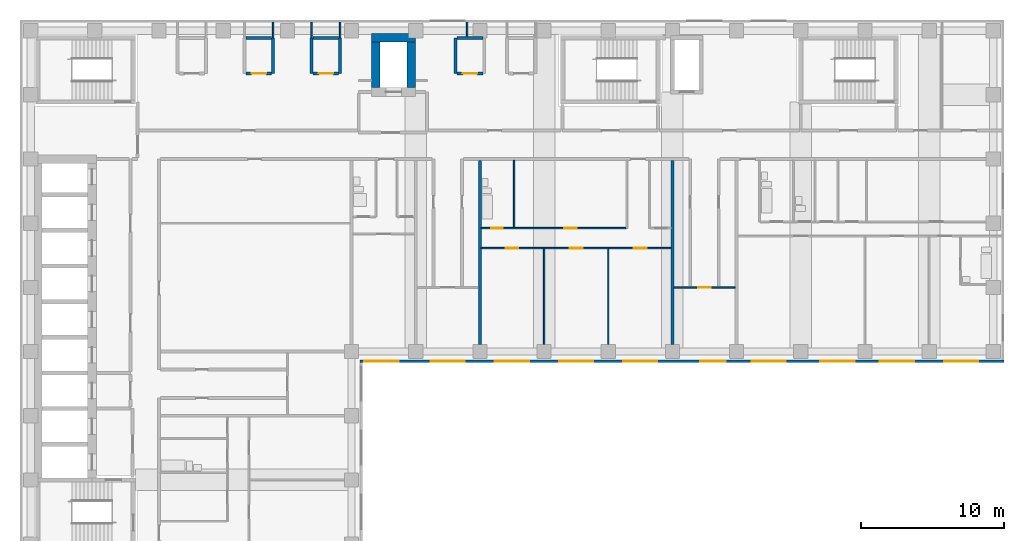
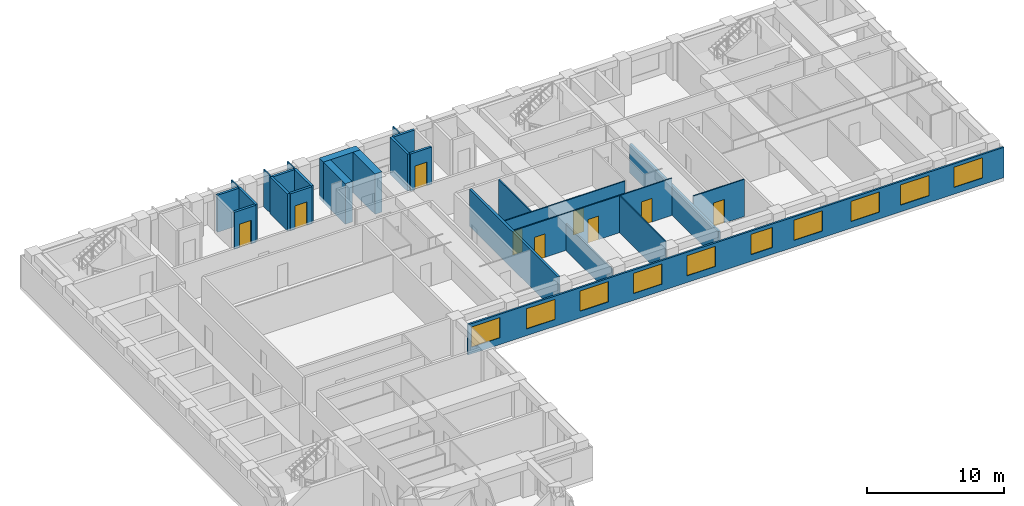
# One storey, part 6 of 12: 26 walls, 10 windows, 9 doors, 19 openings.
"""IFC4 building model written with IfcOpenShell, lengths in metres."""

from ifc_helpers import new_model, si_unit, direction, frame, frame_2d, origin, place, context, subcontext, project, spatial, rectangle, extrude, material, layer, layer_set, type_object, element, fill, save


model = new_model("IFC4")

# Units and contexts
model_context = context("Model", 3, precision=1e-05, world=origin(), true_north=direction((0.0, 1.0)))
body_context = subcontext(model_context, "Body", "Model", "MODEL_VIEW")
ifc_project = project(units=[si_unit("LENGTHUNIT", "METRE"), si_unit("AREAUNIT", "SQUARE_METRE"), si_unit("VOLUMEUNIT", "CUBIC_METRE"), si_unit("PLANEANGLEUNIT", "RADIAN"), si_unit("MASSUNIT", "GRAM", prefix="KILO")], contexts=[model_context])

# Site, building, storey
site_placement = place(None, origin())
site = spatial("IfcSite", under=ifc_project, at=site_placement, CompositionType="ELEMENT")
building_placement = place(site_placement, origin())
building = spatial("IfcBuilding", under=site, at=building_placement, Name="Firuza Court", CompositionType="ELEMENT")
storey_placement = place(building_placement, frame((0.0, 0.0, 144.800048828125)))
storey = spatial("IfcBuildingStorey", under=building, at=storey_placement, Name="L36", CompositionType="ELEMENT", Elevation=144.800048828125)

# Walls
ifc_material_1 = material(Name="Moisture-resistant gypsum board partition")
ifc_layer_1 = layer(ifc_material_1, 0.10009765625)
ifc_layer_set_1 = layer_set([ifc_layer_1], Name="Moisture-resistant gypsum board partition")
wall_type_1 = type_object("IfcWallType", Name="Bathroom partition 100", PredefinedType="PLUMBINGWALL", material=ifc_layer_set_1)
wall_1_placement = place(storey_placement, frame((33.89990234375, 44.699951171875, 0.0), z_axis=(0.0, 0.0, 1.0), x_axis=(0.0, 1.0, 0.0)))
element("IfcWall", 1, at=wall_1_placement, inside=storey, type_object=wall_type_1, Name="Bathroom partition 100 L36", PredefinedType="PLUMBINGWALL", context=body_context, shape_type="SweptSolid", body=[
    extrude(rectangle(XDim=4.699951171875, YDim=0.10009765625, at=frame_2d((2.35009765625, 0.0))), origin(), (0.0, 0.0, 1.0), 3.300048828125),
])
ifc_material_2 = material(Name="Concrete C60/75", Category="concrete")
ifc_layer_2 = layer(ifc_material_2, 0.60009765625)
ifc_layer_set_2 = layer_set([ifc_layer_2], Name="Concrete C60/75")
wall_type_2 = type_object("IfcWallType", Name="Core wall 600 C60/75", PredefinedType="SHEAR", material=ifc_layer_set_2)
wall_2_placement = place(storey_placement, frame((23.89990234375, 58.0, -0.300048828125), z_axis=(0.0, 0.0, 1.0), x_axis=(1.0, 0.0, 0.0)))
element("IfcWall", 2, at=wall_2_placement, inside=storey, type_object=wall_type_2, Name="Core wall lift shaft L36", PredefinedType="SHEAR", context=body_context, shape_type="SweptSolid", body=[
    extrude(rectangle(XDim=3.10009765625, YDim=0.60009765625, at=frame_2d((1.550048828125, 0.0))), origin(), (0.0, 0.0, 1.0), 3.60009765625),
])
for number, where, z_axis, x_axis, name in (
    (3, (24.199951171875, 54.5, -0.300048828125), (0.0, 0.0, 1.0), (0.0, 1.0, 0.0), "Core wall lift shaft L36"),
    (4, (26.699951171875, 54.5, -0.300048828125), (0.0, 0.0, 1.0), (0.0, 1.0, 0.0), "Core wall lift shaft L36"),
):
    element("IfcWall", number, at=place(storey_placement, frame(where, z_axis=z_axis, x_axis=x_axis)), inside=storey, type_object=wall_type_2, Name=name, PredefinedType="SHEAR", context=body_context, shape_type="SweptSolid", body=[
        extrude(rectangle(XDim=3.199951171875, YDim=0.60009765625, at=frame_2d((1.60009765625, 0.0))), origin(), (0.0, 0.0, 1.0), 3.60009765625),
    ])
ifc_material_3 = material(Name="Timber stud partition, plasterboard both sides", Category="wood")
ifc_layer_3 = layer(ifc_material_3, 0.10009765625)
ifc_layer_set_3 = layer_set([ifc_layer_3], Name="Timber stud partition, plasterboard both sides")
wall_type_3 = type_object("IfcWallType", Name="Partition wall 100", PredefinedType="PARTITIONING", material=ifc_layer_set_3)
wall_3_placement = place(storey_placement, frame((36.0, 36.5, 0.0), z_axis=(0.0, 0.0, 1.0), x_axis=(0.0, 1.0, 0.0)))
element("IfcWall", 5, at=wall_3_placement, inside=storey, type_object=wall_type_3, Name="Partition wall 100 L36", PredefinedType="PARTITIONING", context=body_context, shape_type="SweptSolid", body=[
    extrude(rectangle(XDim=6.699951171875, YDim=0.10009765625, at=frame_2d((3.35009765625, 0.0))), origin(), (0.0, 0.0, 1.0), 2.39990234375),
])
wall_4_placement = place(storey_placement, frame((40.5, 36.5, 0.0), z_axis=(0.0, 0.0, 1.0), x_axis=(0.0, 1.0, 0.0)))
element("IfcWall", 6, at=wall_4_placement, inside=storey, type_object=wall_type_3, Name="Partition wall 100 L36", PredefinedType="PARTITIONING", context=body_context, shape_type="SweptSolid", body=[
    extrude(rectangle(XDim=6.699951171875, YDim=0.10009765625, at=frame_2d((3.35009765625, 0.0))), origin(), (0.0, 0.0, 1.0), 3.300048828125),
])

# Wall, opening, door
wall_5_placement = place(storey_placement, frame((45.10009765625, 40.5, 0.0), z_axis=(0.0, 0.0, 1.0), x_axis=(1.0, 0.0, 0.0)))
wall_5 = element("IfcWall", 7, at=wall_5_placement, inside=storey, type_object=wall_type_3, Name="Partition wall 100 L36", PredefinedType="PARTITIONING", context=body_context, shape_type="SweptSolid", body=[
    extrude(rectangle(XDim=4.2998046875, YDim=0.10009765625, at=frame_2d((2.14990234375, 0.0))), origin(), (0.0, 0.0, 1.0), 3.300048828125),
])
opening_1_placement = place(wall_5_placement, frame((1.699951171875, 0.0, 0.0)))
opening_1 = element("IfcOpeningElement", 8, at=opening_1_placement, cuts=wall_5, Name="Opening D36040", PredefinedType="OPENING", context=body_context, shape_type="SweptSolid", body=[
    extrude(rectangle(XDim=0.89990234375, YDim=2.10009765625, at=frame_2d((0.449951171875, 1.050048828125))), frame((0.0, 0.06201171875, 0.0), z_axis=(0.0, -1.0, 0.0), x_axis=(1.0, 0.0, 0.0)), (0.0, 0.0, 1.0), 0.1240234375),
])
ifc_material_4 = material(Name="Timber door leaf in hardwood frame", Category="wood")
door_type_1 = type_object("IfcDoorType", Name="Room door 900", OperationType="SINGLE_SWING_LEFT", PredefinedType="DOOR", material=ifc_material_4)
door_1_placement = place(opening_1_placement, origin())
door_1 = element("IfcDoor", 9, at=door_1_placement, inside=storey, type_object=door_type_1, Name="Residents' lounge door", OperationType="SINGLE_SWING_LEFT", OverallHeight=2.10009765625, OverallWidth=0.89990234375, PredefinedType="DOOR", context=body_context, shape_type="SweptSolid", body=[
    extrude(rectangle(XDim=0.89990234375, YDim=2.10009765625, at=frame_2d((0.449951171875, 1.050048828125))), frame((0.0, 0.02490234375, 0.0), z_axis=(0.0, -1.0, 0.0), x_axis=(1.0, 0.0, 0.0)), (0.0, 0.0, 1.0), 0.050048828125),
])
fill(opening_1, door_1)

# Wall, openings, doors
wall_6_placement = place(storey_placement, frame((31.60009765625, 43.25, 0.0), z_axis=(0.0, 0.0, 1.0), x_axis=(1.0, 0.0, 0.0)))
wall_6 = element("IfcWall", 10, at=wall_6_placement, inside=storey, type_object=wall_type_3, Name="Partition wall 100 L36", PredefinedType="PARTITIONING", context=body_context, shape_type="SweptSolid", body=[
    extrude(rectangle(XDim=13.2998046875, YDim=0.10009765625, at=frame_2d((6.64990234375, 0.0))), origin(), (0.0, 0.0, 1.0), 3.300048828125),
])
opening_2_placement = place(wall_6_placement, frame((1.699951171875, 0.0, 0.0)))
opening_2 = element("IfcOpeningElement", 11, at=opening_2_placement, cuts=wall_6, Name="Opening D36046", PredefinedType="OPENING", context=body_context, shape_type="SweptSolid", body=[
    extrude(rectangle(XDim=0.89990234375, YDim=2.10009765625, at=frame_2d((0.449951171875, 1.050048828125))), frame((0.0, 0.06201171875, 0.0), z_axis=(0.0, -1.0, 0.0), x_axis=(1.0, 0.0, 0.0)), (0.0, 0.0, 1.0), 0.1240234375),
])
opening_3_placement = place(wall_6_placement, frame((6.199951171875, 0.0, 0.0)))
opening_3 = element("IfcOpeningElement", 12, at=opening_3_placement, cuts=wall_6, Name="Opening D36047", PredefinedType="OPENING", context=body_context, shape_type="SweptSolid", body=[
    extrude(rectangle(XDim=0.89990234375, YDim=2.10009765625, at=frame_2d((0.449951171875, 1.050048828125))), frame((0.0, 0.06201171875, 0.0), z_axis=(0.0, -1.0, 0.0), x_axis=(1.0, 0.0, 0.0)), (0.0, 0.0, 1.0), 0.1240234375),
])
opening_4_placement = place(wall_6_placement, frame((10.699951171875, 0.0, 0.0)))
opening_4 = element("IfcOpeningElement", 13, at=opening_4_placement, cuts=wall_6, Name="Opening D36048", PredefinedType="OPENING", context=body_context, shape_type="SweptSolid", body=[
    extrude(rectangle(XDim=0.89990234375, YDim=2.10009765625, at=frame_2d((0.449951171875, 1.050048828125))), frame((0.0, 0.06201171875, 0.0), z_axis=(0.0, -1.0, 0.0), x_axis=(1.0, 0.0, 0.0)), (0.0, 0.0, 1.0), 0.1240234375),
])
door_2_placement = place(opening_2_placement, frame((0.89990234375, 0.0, 0.0), z_axis=(0.0, 0.0, 1.0), x_axis=(-1.0, 0.0, 0.0)))
door_2 = element("IfcDoor", 14, at=door_2_placement, inside=storey, type_object=door_type_1, Name="Bedroom door", OperationType="SINGLE_SWING_RIGHT", OverallHeight=2.10009765625, OverallWidth=0.89990234375, PredefinedType="DOOR", context=body_context, shape_type="SweptSolid", body=[
    extrude(rectangle(XDim=0.89990234375, YDim=2.10009765625, at=frame_2d((0.449951171875, 1.050048828125))), frame((0.0, 0.02490234375, 0.0), z_axis=(0.0, -1.0, 0.0), x_axis=(1.0, 0.0, 0.0)), (0.0, 0.0, 1.0), 0.050048828125),
])
fill(opening_2, door_2)
door_3_placement = place(opening_3_placement, frame((0.89990234375, 0.0, 0.0), z_axis=(0.0, 0.0, 1.0), x_axis=(-1.0, 0.0, 0.0)))
door_3 = element("IfcDoor", 15, at=door_3_placement, inside=storey, type_object=door_type_1, Name="Living room door", OperationType="SINGLE_SWING_RIGHT", OverallHeight=2.10009765625, OverallWidth=0.89990234375, PredefinedType="DOOR", context=body_context, shape_type="SweptSolid", body=[
    extrude(rectangle(XDim=0.89990234375, YDim=2.10009765625, at=frame_2d((0.449951171875, 1.050048828125))), frame((0.0, 0.02490234375, 0.0), z_axis=(0.0, -1.0, 0.0), x_axis=(1.0, 0.0, 0.0)), (0.0, 0.0, 1.0), 0.050048828125),
])
fill(opening_3, door_3)
door_4_placement = place(opening_4_placement, frame((0.89990234375, 0.0, 0.0), z_axis=(0.0, 0.0, 1.0), x_axis=(-1.0, 0.0, 0.0)))
door_4 = element("IfcDoor", 16, at=door_4_placement, inside=storey, type_object=door_type_1, Name="Bedroom door", OperationType="SINGLE_SWING_RIGHT", OverallHeight=2.10009765625, OverallWidth=0.89990234375, PredefinedType="DOOR", context=body_context, shape_type="SweptSolid", body=[
    extrude(rectangle(XDim=0.89990234375, YDim=2.10009765625, at=frame_2d((0.449951171875, 1.050048828125))), frame((0.0, 0.02490234375, 0.0), z_axis=(0.0, -1.0, 0.0), x_axis=(1.0, 0.0, 0.0)), (0.0, 0.0, 1.0), 0.050048828125),
])
fill(opening_4, door_4)

wall_7_placement = place(storey_placement, frame((31.60009765625, 44.64990234375, 0.0), z_axis=(0.0, 0.0, 1.0), x_axis=(1.0, 0.0, 0.0)))
wall_7 = element("IfcWall", 17, at=wall_7_placement, inside=storey, type_object=wall_type_3, Name="Partition wall 100 L36", PredefinedType="PARTITIONING", context=body_context, shape_type="SweptSolid", body=[
    extrude(rectangle(XDim=10.14990234375, YDim=0.10009765625, at=frame_2d((5.074951171875, 0.0))), origin(), (0.0, 0.0, 1.0), 3.300048828125),
])
opening_5_placement = place(wall_7_placement, frame((0.699951171875, 0.0, 0.0)))
opening_5 = element("IfcOpeningElement", 18, at=opening_5_placement, cuts=wall_7, Name="Opening D36053", PredefinedType="OPENING", context=body_context, shape_type="SweptSolid", body=[
    extrude(rectangle(XDim=0.800048828125, YDim=2.10009765625, at=frame_2d((0.39990234375, 1.050048828125))), frame((0.0, 0.06201171875, 0.0), z_axis=(0.0, -1.0, 0.0), x_axis=(1.0, 0.0, 0.0)), (0.0, 0.0, 1.0), 0.1240234375),
])
opening_6_placement = place(wall_7_placement, frame((5.800048828125, 0.0, 0.0)))
opening_6 = element("IfcOpeningElement", 19, at=opening_6_placement, cuts=wall_7, Name="Opening D36054", PredefinedType="OPENING", context=body_context, shape_type="SweptSolid", body=[
    extrude(rectangle(XDim=0.89990234375, YDim=2.10009765625, at=frame_2d((0.449951171875, 1.050048828125))), frame((0.0, 0.06201171875, 0.0), z_axis=(0.0, -1.0, 0.0), x_axis=(1.0, 0.0, 0.0)), (0.0, 0.0, 1.0), 0.1240234375),
])
ifc_material_5 = material(Name="Timber door leaf in hardwood frame", Category="wood")
door_type_2 = type_object("IfcDoorType", Name="Bathroom door 800", OperationType="SINGLE_SWING_LEFT", PredefinedType="DOOR", material=ifc_material_5)
door_5_placement = place(opening_5_placement, origin())
door_5 = element("IfcDoor", 20, at=door_5_placement, inside=storey, type_object=door_type_2, Name="Bathroom door", OperationType="SINGLE_SWING_LEFT", OverallHeight=2.10009765625, OverallWidth=0.800048828125, PredefinedType="DOOR", context=body_context, shape_type="SweptSolid", body=[
    extrude(rectangle(XDim=0.800048828125, YDim=2.10009765625, at=frame_2d((0.39990234375, 1.050048828125))), frame((0.0, 0.02490234375, 0.0), z_axis=(0.0, -1.0, 0.0), x_axis=(1.0, 0.0, 0.0)), (0.0, 0.0, 1.0), 0.050048828125),
])
fill(opening_5, door_5)
door_6_placement = place(opening_6_placement, origin())
door_6 = element("IfcDoor", 21, at=door_6_placement, inside=storey, type_object=door_type_1, Name="Kitchen door", OperationType="SINGLE_SWING_LEFT", OverallHeight=2.10009765625, OverallWidth=0.89990234375, PredefinedType="DOOR", context=body_context, shape_type="SweptSolid", body=[
    extrude(rectangle(XDim=0.89990234375, YDim=2.10009765625, at=frame_2d((0.449951171875, 1.050048828125))), frame((0.0, 0.02490234375, 0.0), z_axis=(0.0, -1.0, 0.0), x_axis=(1.0, 0.0, 0.0)), (0.0, 0.0, 1.0), 0.050048828125),
])
fill(opening_6, door_6)

# Walls
for number, where, z_axis, x_axis, name in (
    (22, (17.0, 58.0, 0.0), (0.0, 0.0, 1.0), (0.0, 1.0, 0.0), "Partition wall 100 L36"),
    (23, (19.699951171875, 58.0, 0.0), (0.0, 0.0, 1.0), (0.0, 1.0, 0.0), "Partition wall 100 L36"),
    (24, (21.699951171875, 58.0, 0.0), (0.0, 0.0, 1.0), (0.0, 1.0, 0.0), "Partition wall 100 L36"),
):
    element("IfcWall", number, at=place(storey_placement, frame(where, z_axis=z_axis, x_axis=x_axis)), inside=storey, type_object=wall_type_3, Name=name, PredefinedType="PARTITIONING", context=body_context, shape_type="SweptSolid", body=[
        extrude(rectangle(XDim=1.10009765625, YDim=0.10009765625, at=frame_2d((0.550048828125, 0.0))), origin(), (0.0, 0.0, 1.0), 3.300048828125),
    ])
wall_8_placement = place(storey_placement, frame((30.60009765625, 58.10009765625, 0.0), z_axis=(0.0, 0.0, 1.0), x_axis=(0.0, 1.0, 0.0)))
element("IfcWall", 25, at=wall_8_placement, inside=storey, type_object=wall_type_3, Name="Partition wall 100 L36", PredefinedType="PARTITIONING", context=body_context, shape_type="SweptSolid", body=[
    extrude(rectangle(XDim=1.0, YDim=0.10009765625, at=frame_2d((0.5, 0.0))), origin(), (0.0, 0.0, 1.0), 3.300048828125),
])
ifc_material_6 = material(Name="Blockwork, plastered both sides", Category="masonry")
ifc_layer_4 = layer(ifc_material_6, 0.199951171875)
ifc_layer_set_4 = layer_set([ifc_layer_4], Name="Blockwork, plastered both sides")
wall_type_4 = type_object("IfcWallType", Name="Party wall 200", PredefinedType="PARTITIONING", material=ifc_layer_set_4)
wall_9_placement = place(storey_placement, frame((31.5, 36.5, 0.0), z_axis=(0.0, 0.0, 1.0), x_axis=(0.0, 1.0, 0.0)))
element("IfcWall", 26, at=wall_9_placement, inside=storey, type_object=wall_type_4, Name="Party wall 200 L36", PredefinedType="PARTITIONING", context=body_context, shape_type="SweptSolid", body=[
    extrude(rectangle(XDim=12.89990234375, YDim=0.199951171875, at=frame_2d((6.449951171875, 0.0))), origin(), (0.0, 0.0, 1.0), 3.300048828125),
])
wall_10_placement = place(storey_placement, frame((45.0, 36.5, 0.0), z_axis=(0.0, 0.0, 1.0), x_axis=(0.0, 1.0, 0.0)))
element("IfcWall", 27, at=wall_10_placement, inside=storey, type_object=wall_type_4, Name="Party wall 200 L36", PredefinedType="PARTITIONING", context=body_context, shape_type="SweptSolid", body=[
    extrude(rectangle(XDim=12.89990234375, YDim=0.199951171875, at=frame_2d((6.449951171875, 0.0))), origin(), (0.0, 0.0, 1.0), 2.599853515625),
])

# Wall, opening, door
ifc_material_7 = material(Name="Blockwork, fire-rated", Category="masonry")
ifc_layer_5 = layer(ifc_material_7, 0.199951171875)
ifc_layer_set_5 = layer_set([ifc_layer_5], Name="Blockwork, fire-rated")
wall_type_5 = type_object("IfcWallType", Name="Plant room wall 200", PredefinedType="PARTITIONING", material=ifc_layer_set_5)
wall_11_placement = place(storey_placement, frame((15.10009765625, 55.5, 0.0), z_axis=(0.0, 0.0, 1.0), x_axis=(1.0, 0.0, 0.0)))
wall_11 = element("IfcWall", 28, at=wall_11_placement, inside=storey, type_object=wall_type_5, Name="Plant room wall 200 L36", PredefinedType="PARTITIONING", context=body_context, shape_type="SweptSolid", body=[
    extrude(rectangle(XDim=1.7998046875, YDim=0.199951171875, at=frame_2d((0.89990234375, 0.0))), origin(), (0.0, 0.0, 1.0), 3.300048828125),
])
opening_7_placement = place(wall_11_placement, frame((0.39990234375, 0.0, 0.0)))
opening_7 = element("IfcOpeningElement", 29, at=opening_7_placement, cuts=wall_11, Name="Opening D36073", PredefinedType="OPENING", context=body_context, shape_type="SweptSolid", body=[
    extrude(rectangle(XDim=1.0, YDim=2.10009765625, at=frame_2d((0.5, 1.050048828125))), frame((0.0, 0.11181640625, 0.0), z_axis=(0.0, -1.0, 0.0), x_axis=(1.0, 0.0, 0.0)), (0.0, 0.0, 1.0), 0.223876953125),
])
ifc_material_8 = material(Name="Timber door leaf in hardwood frame", Category="wood")
door_type_3 = type_object("IfcDoorType", Name="Riser door 1000", OperationType="SINGLE_SWING_LEFT", PredefinedType="DOOR", material=ifc_material_8)
door_7_placement = place(opening_7_placement, origin())
door_7 = element("IfcDoor", 30, at=door_7_placement, inside=storey, type_object=door_type_3, Name="Electrical riser door", OperationType="SINGLE_SWING_LEFT", OverallHeight=2.10009765625, OverallWidth=1.0, PredefinedType="DOOR", context=body_context, shape_type="SweptSolid", body=[
    extrude(rectangle(XDim=1.0, YDim=2.10009765625, at=frame_2d((0.5, 1.050048828125))), frame((0.0, 0.02490234375, 0.0), z_axis=(0.0, -1.0, 0.0), x_axis=(1.0, 0.0, 0.0)), (0.0, 0.0, 1.0), 0.050048828125),
])
fill(opening_7, door_7)

# Walls
for number, where, z_axis, x_axis, name in (
    (31, (17.0, 55.5, 0.0), (0.0, 0.0, 1.0), (0.0, 1.0, 0.0), "Plant room wall 200 L36"),
    (32, (19.699951171875, 55.5, 0.0), (0.0, 0.0, 1.0), (0.0, 1.0, 0.0), "Plant room wall 200 L36"),
):
    element("IfcWall", number, at=place(storey_placement, frame(where, z_axis=z_axis, x_axis=x_axis)), inside=storey, type_object=wall_type_5, Name=name, PredefinedType="PARTITIONING", context=body_context, shape_type="SweptSolid", body=[
        extrude(rectangle(XDim=2.5, YDim=0.199951171875, at=frame_2d((1.25, 0.0))), origin(), (0.0, 0.0, 1.0), 3.300048828125),
    ])

# Wall, opening, door
wall_12_placement = place(storey_placement, frame((19.800048828125, 55.5, 0.0), z_axis=(0.0, 0.0, 1.0), x_axis=(1.0, 0.0, 0.0)))
wall_12 = element("IfcWall", 33, at=wall_12_placement, inside=storey, type_object=wall_type_5, Name="Plant room wall 200 L36", PredefinedType="PARTITIONING", context=body_context, shape_type="SweptSolid", body=[
    extrude(rectangle(XDim=1.800048828125, YDim=0.199951171875, at=frame_2d((0.89990234375, 0.0))), origin(), (0.0, 0.0, 1.0), 3.300048828125),
])
opening_8_placement = place(wall_12_placement, frame((0.39990234375, 0.0, 0.0)))
opening_8 = element("IfcOpeningElement", 34, at=opening_8_placement, cuts=wall_12, Name="Opening D36074", PredefinedType="OPENING", context=body_context, shape_type="SweptSolid", body=[
    extrude(rectangle(XDim=1.0, YDim=2.10009765625, at=frame_2d((0.5, 1.050048828125))), frame((0.0, 0.11181640625, 0.0), z_axis=(0.0, -1.0, 0.0), x_axis=(1.0, 0.0, 0.0)), (0.0, 0.0, 1.0), 0.223876953125),
])
door_8_placement = place(opening_8_placement, origin())
door_8 = element("IfcDoor", 35, at=door_8_placement, inside=storey, type_object=door_type_3, Name="Duct riser door", OperationType="SINGLE_SWING_LEFT", OverallHeight=2.10009765625, OverallWidth=1.0, PredefinedType="DOOR", context=body_context, shape_type="SweptSolid", body=[
    extrude(rectangle(XDim=1.0, YDim=2.10009765625, at=frame_2d((0.5, 1.050048828125))), frame((0.0, 0.02490234375, 0.0), z_axis=(0.0, -1.0, 0.0), x_axis=(1.0, 0.0, 0.0)), (0.0, 0.0, 1.0), 0.050048828125),
])
fill(opening_8, door_8)

# Walls
for number, where, z_axis, x_axis, name in (
    (36, (21.699951171875, 55.5, 0.0), (0.0, 0.0, 1.0), (0.0, 1.0, 0.0), "Plant room wall 200 L36"),
    (37, (29.800048828125, 55.5, 0.0), (0.0, 0.0, 1.0), (0.0, 1.0, 0.0), "Plant room wall 200 L36"),
):
    element("IfcWall", number, at=place(storey_placement, frame(where, z_axis=z_axis, x_axis=x_axis)), inside=storey, type_object=wall_type_5, Name=name, PredefinedType="PARTITIONING", context=body_context, shape_type="SweptSolid", body=[
        extrude(rectangle(XDim=2.5, YDim=0.199951171875, at=frame_2d((1.25, 0.0))), origin(), (0.0, 0.0, 1.0), 3.300048828125),
    ])

# Wall, opening, door
wall_13_placement = place(storey_placement, frame((29.89990234375, 55.5, 0.0), z_axis=(0.0, 0.0, 1.0), x_axis=(1.0, 0.0, 0.0)))
wall_13 = element("IfcWall", 38, at=wall_13_placement, inside=storey, type_object=wall_type_5, Name="Plant room wall 200 L36", PredefinedType="PARTITIONING", context=body_context, shape_type="SweptSolid", body=[
    extrude(rectangle(XDim=1.800048828125, YDim=0.199951171875, at=frame_2d((0.89990234375, 0.0))), origin(), (0.0, 0.0, 1.0), 3.300048828125),
])
opening_9_placement = place(wall_13_placement, frame((0.39990234375, 0.0, 0.0)))
opening_9 = element("IfcOpeningElement", 39, at=opening_9_placement, cuts=wall_13, Name="Opening D36075", PredefinedType="OPENING", context=body_context, shape_type="SweptSolid", body=[
    extrude(rectangle(XDim=1.0, YDim=2.10009765625, at=frame_2d((0.5, 1.050048828125))), frame((0.0, 0.11181640625, 0.0), z_axis=(0.0, -1.0, 0.0), x_axis=(1.0, 0.0, 0.0)), (0.0, 0.0, 1.0), 0.223876953125),
])
door_9_placement = place(opening_9_placement, origin())
door_9 = element("IfcDoor", 40, at=door_9_placement, inside=storey, type_object=door_type_3, Name="Electrical riser door", OperationType="SINGLE_SWING_LEFT", OverallHeight=2.10009765625, OverallWidth=1.0, PredefinedType="DOOR", context=body_context, shape_type="SweptSolid", body=[
    extrude(rectangle(XDim=1.0, YDim=2.10009765625, at=frame_2d((0.5, 1.050048828125))), frame((0.0, 0.02490234375, 0.0), z_axis=(0.0, -1.0, 0.0), x_axis=(1.0, 0.0, 0.0)), (0.0, 0.0, 1.0), 0.050048828125),
])
fill(opening_9, door_9)

# Walls
wall_14_placement = place(storey_placement, frame((15.10009765625, 58.0, 0.0), z_axis=(0.0, 0.0, 1.0), x_axis=(1.0, 0.0, 0.0)))
element("IfcWall", 41, at=wall_14_placement, inside=storey, type_object=wall_type_5, Name="Plant room wall 200 L36", PredefinedType="PARTITIONING", context=body_context, shape_type="SweptSolid", body=[
    extrude(rectangle(XDim=1.7998046875, YDim=0.199951171875, at=frame_2d((0.89990234375, 0.0))), origin(), (0.0, 0.0, 1.0), 3.300048828125),
])
for number, where, z_axis, x_axis, name in (
    (42, (19.800048828125, 58.0, 0.0), (0.0, 0.0, 1.0), (1.0, 0.0, 0.0), "Plant room wall 200 L36"),
    (43, (29.89990234375, 58.0, 0.0), (0.0, 0.0, 1.0), (1.0, 0.0, 0.0), "Plant room wall 200 L36"),
):
    element("IfcWall", number, at=place(storey_placement, frame(where, z_axis=z_axis, x_axis=x_axis)), inside=storey, type_object=wall_type_5, Name=name, PredefinedType="PARTITIONING", context=body_context, shape_type="SweptSolid", body=[
        extrude(rectangle(XDim=1.800048828125, YDim=0.199951171875, at=frame_2d((0.89990234375, 0.0))), origin(), (0.0, 0.0, 1.0), 3.300048828125),
    ])

# Wall, openings, windows
ifc_material_9 = material(Name="Ceramic tile", Category="ceramic")
ifc_layer_6 = layer(ifc_material_9, 0.02001953125)
ifc_material_10 = material(Name="Mineral wool insulation", Category="insulation")
ifc_layer_7 = layer(ifc_material_10, 0.050048828125)
ifc_material_11 = material(Name="Concrete C40/50 precast", Category="concrete")
ifc_layer_8 = layer(ifc_material_11, 0.080078125)
ifc_layer_set_6 = layer_set([ifc_layer_6, ifc_layer_7, ifc_layer_8], Name="Concrete C40/50 precast")
wall_type_6 = type_object("IfcWallType", Name="Precast cladding wall with turquoise TILE PANEL face 150", PredefinedType="STANDARD", material=ifc_layer_set_6)
wall_15_placement = place(storey_placement, frame((23.10009765625, 35.324951171875, 0.0), z_axis=(0.0, 0.0, 1.0), x_axis=(1.0, 0.0, 0.0)))
wall_15 = element("IfcWall", 44, at=wall_15_placement, inside=storey, type_object=wall_type_6, Name="Facade wall L36 S", PredefinedType="STANDARD", context=body_context, shape_type="SweptSolid", body=[
    extrude(rectangle(XDim=45.14990234375, YDim=0.14990234375, at=frame_2d((22.574951171875, 0.0))), origin(), (0.0, 0.0, 1.0), 2.699951171875),
])
opening_10_placement = place(wall_15_placement, frame((0.30615234375, 0.0, 0.60009765625)))
opening_10 = element("IfcOpeningElement", 45, at=opening_10_placement, cuts=wall_15, Name="Opening W1", PredefinedType="OPENING", context=body_context, shape_type="SweptSolid", body=[
    extrude(rectangle(XDim=2.39990234375, YDim=1.800048828125, at=frame_2d((1.199951171875, 0.89990234375))), frame((0.0, 0.0869140625, 0.0), z_axis=(0.0, -1.0, 0.0), x_axis=(1.0, 0.0, 0.0)), (0.0, 0.0, 1.0), 0.173828125),
])
opening_11_placement = place(wall_15_placement, frame((4.949951171875, 0.0, 0.60009765625)))
opening_11 = element("IfcOpeningElement", 46, at=opening_11_placement, cuts=wall_15, Name="Opening W1", PredefinedType="OPENING", context=body_context, shape_type="SweptSolid", body=[
    extrude(rectangle(XDim=2.39990234375, YDim=1.800048828125, at=frame_2d((1.199951171875, 0.89990234375))), frame((0.0, 0.0869140625, 0.0), z_axis=(0.0, -1.0, 0.0), x_axis=(1.0, 0.0, 0.0)), (0.0, 0.0, 1.0), 0.173828125),
])
opening_12_placement = place(wall_15_placement, frame((9.449951171875, 0.0, 0.60009765625)))
opening_12 = element("IfcOpeningElement", 47, at=opening_12_placement, cuts=wall_15, Name="Opening W1", PredefinedType="OPENING", context=body_context, shape_type="SweptSolid", body=[
    extrude(rectangle(XDim=2.39990234375, YDim=1.800048828125, at=frame_2d((1.199951171875, 0.89990234375))), frame((0.0, 0.0869140625, 0.0), z_axis=(0.0, -1.0, 0.0), x_axis=(1.0, 0.0, 0.0)), (0.0, 0.0, 1.0), 0.173828125),
])
opening_13_placement = place(wall_15_placement, frame((13.949951171875, 0.0, 0.60009765625)))
opening_13 = element("IfcOpeningElement", 48, at=opening_13_placement, cuts=wall_15, Name="Opening W1", PredefinedType="OPENING", context=body_context, shape_type="SweptSolid", body=[
    extrude(rectangle(XDim=2.39990234375, YDim=1.800048828125, at=frame_2d((1.199951171875, 0.89990234375))), frame((0.0, 0.0869140625, 0.0), z_axis=(0.0, -1.0, 0.0), x_axis=(1.0, 0.0, 0.0)), (0.0, 0.0, 1.0), 0.173828125),
])
opening_14_placement = place(wall_15_placement, frame((18.449951171875, 0.0, 0.60009765625)))
opening_14 = element("IfcOpeningElement", 49, at=opening_14_placement, cuts=wall_15, Name="Opening W1", PredefinedType="OPENING", context=body_context, shape_type="SweptSolid", body=[
    extrude(rectangle(XDim=2.39990234375, YDim=1.800048828125, at=frame_2d((1.199951171875, 0.89990234375))), frame((0.0, 0.0869140625, 0.0), z_axis=(0.0, -1.0, 0.0), x_axis=(1.0, 0.0, 0.0)), (0.0, 0.0, 1.0), 0.173828125),
])
opening_15_placement = place(wall_15_placement, frame((23.84033203125, 0.0, 0.60009765625)))
opening_15 = element("IfcOpeningElement", 50, at=opening_15_placement, cuts=wall_15, Name="Opening W7", PredefinedType="OPENING", context=body_context, shape_type="SweptSolid", body=[
    extrude(rectangle(XDim=1.800048828125, YDim=1.800048828125, at=frame_2d((0.89990234375, 0.89990234375))), frame((0.0, 0.0869140625, 0.0), z_axis=(0.0, -1.0, 0.0), x_axis=(1.0, 0.0, 0.0)), (0.0, 0.0, 1.0), 0.173828125),
])
opening_16_placement = place(wall_15_placement, frame((27.449951171875, 0.0, 0.60009765625)))
opening_16 = element("IfcOpeningElement", 51, at=opening_16_placement, cuts=wall_15, Name="Opening W1", PredefinedType="OPENING", context=body_context, shape_type="SweptSolid", body=[
    extrude(rectangle(XDim=2.39990234375, YDim=1.800048828125, at=frame_2d((1.199951171875, 0.89990234375))), frame((0.0, 0.0869140625, 0.0), z_axis=(0.0, -1.0, 0.0), x_axis=(1.0, 0.0, 0.0)), (0.0, 0.0, 1.0), 0.173828125),
])
opening_17_placement = place(wall_15_placement, frame((32.26953125, 0.0, 0.60009765625)))
opening_17 = element("IfcOpeningElement", 52, at=opening_17_placement, cuts=wall_15, Name="Opening W1", PredefinedType="OPENING", context=body_context, shape_type="SweptSolid", body=[
    extrude(rectangle(XDim=2.39990234375, YDim=1.800048828125, at=frame_2d((1.199951171875, 0.89990234375))), frame((0.0, 0.0869140625, 0.0), z_axis=(0.0, -1.0, 0.0), x_axis=(1.0, 0.0, 0.0)), (0.0, 0.0, 1.0), 0.173828125),
])
opening_18_placement = place(wall_15_placement, frame((36.449951171875, 0.0, 0.60009765625)))
opening_18 = element("IfcOpeningElement", 53, at=opening_18_placement, cuts=wall_15, Name="Opening W1", PredefinedType="OPENING", context=body_context, shape_type="SweptSolid", body=[
    extrude(rectangle(XDim=2.39990234375, YDim=1.800048828125, at=frame_2d((1.199951171875, 0.89990234375))), frame((0.0, 0.0869140625, 0.0), z_axis=(0.0, -1.0, 0.0), x_axis=(1.0, 0.0, 0.0)), (0.0, 0.0, 1.0), 0.173828125),
])
opening_19_placement = place(wall_15_placement, frame((40.949951171875, 0.0, 0.60009765625)))
opening_19 = element("IfcOpeningElement", 54, at=opening_19_placement, cuts=wall_15, Name="Opening W1", PredefinedType="OPENING", context=body_context, shape_type="SweptSolid", body=[
    extrude(rectangle(XDim=2.39990234375, YDim=1.800048828125, at=frame_2d((1.199951171875, 0.89990234375))), frame((0.0, 0.0869140625, 0.0), z_axis=(0.0, -1.0, 0.0), x_axis=(1.0, 0.0, 0.0)), (0.0, 0.0, 1.0), 0.173828125),
])
ifc_material_12 = material(Name="Aluminium frame, triple clear glazing", Category="aluminium")
window_type_1 = type_object("IfcWindowType", Name="Window W1 2400 x 1800", PartitioningType="SINGLE_PANEL", PredefinedType="WINDOW", material=ifc_material_12)
window_1_placement = place(opening_10_placement, origin())
window_1 = element("IfcWindow", 55, at=window_1_placement, inside=storey, type_object=window_type_1, Name="Window L36", OverallHeight=1.800048828125, OverallWidth=2.39990234375, PartitioningType="SINGLE_PANEL", PredefinedType="WINDOW", context=body_context, shape_type="SweptSolid", body=[
    extrude(rectangle(XDim=2.39990234375, YDim=1.800048828125, at=frame_2d((1.199951171875, 0.89990234375))), frame((0.0, 0.030029296875, 0.0), z_axis=(0.0, -1.0, 0.0), x_axis=(1.0, 0.0, 0.0)), (0.0, 0.0, 1.0), 0.06005859375),
])
fill(opening_10, window_1)
window_2_placement = place(opening_11_placement, origin())
window_2 = element("IfcWindow", 56, at=window_2_placement, inside=storey, type_object=window_type_1, Name="Window L36", OverallHeight=1.800048828125, OverallWidth=2.39990234375, PartitioningType="SINGLE_PANEL", PredefinedType="WINDOW", context=body_context, shape_type="SweptSolid", body=[
    extrude(rectangle(XDim=2.39990234375, YDim=1.800048828125, at=frame_2d((1.199951171875, 0.89990234375))), frame((0.0, 0.030029296875, 0.0), z_axis=(0.0, -1.0, 0.0), x_axis=(1.0, 0.0, 0.0)), (0.0, 0.0, 1.0), 0.06005859375),
])
fill(opening_11, window_2)
window_3_placement = place(opening_12_placement, origin())
window_3 = element("IfcWindow", 57, at=window_3_placement, inside=storey, type_object=window_type_1, Name="Window L36", OverallHeight=1.800048828125, OverallWidth=2.39990234375, PartitioningType="SINGLE_PANEL", PredefinedType="WINDOW", context=body_context, shape_type="SweptSolid", body=[
    extrude(rectangle(XDim=2.39990234375, YDim=1.800048828125, at=frame_2d((1.199951171875, 0.89990234375))), frame((0.0, 0.030029296875, 0.0), z_axis=(0.0, -1.0, 0.0), x_axis=(1.0, 0.0, 0.0)), (0.0, 0.0, 1.0), 0.06005859375),
])
fill(opening_12, window_3)
window_4_placement = place(opening_13_placement, origin())
window_4 = element("IfcWindow", 58, at=window_4_placement, inside=storey, type_object=window_type_1, Name="Window L36", OverallHeight=1.800048828125, OverallWidth=2.39990234375, PartitioningType="SINGLE_PANEL", PredefinedType="WINDOW", context=body_context, shape_type="SweptSolid", body=[
    extrude(rectangle(XDim=2.39990234375, YDim=1.800048828125, at=frame_2d((1.199951171875, 0.89990234375))), frame((0.0, 0.030029296875, 0.0), z_axis=(0.0, -1.0, 0.0), x_axis=(1.0, 0.0, 0.0)), (0.0, 0.0, 1.0), 0.06005859375),
])
fill(opening_13, window_4)
window_5_placement = place(opening_14_placement, origin())
window_5 = element("IfcWindow", 59, at=window_5_placement, inside=storey, type_object=window_type_1, Name="Window L36", OverallHeight=1.800048828125, OverallWidth=2.39990234375, PartitioningType="SINGLE_PANEL", PredefinedType="WINDOW", context=body_context, shape_type="SweptSolid", body=[
    extrude(rectangle(XDim=2.39990234375, YDim=1.800048828125, at=frame_2d((1.199951171875, 0.89990234375))), frame((0.0, 0.030029296875, 0.0), z_axis=(0.0, -1.0, 0.0), x_axis=(1.0, 0.0, 0.0)), (0.0, 0.0, 1.0), 0.06005859375),
])
fill(opening_14, window_5)
window_6_placement = place(opening_16_placement, origin())
window_6 = element("IfcWindow", 60, at=window_6_placement, inside=storey, type_object=window_type_1, Name="Window L36", OverallHeight=1.800048828125, OverallWidth=2.39990234375, PartitioningType="SINGLE_PANEL", PredefinedType="WINDOW", context=body_context, shape_type="SweptSolid", body=[
    extrude(rectangle(XDim=2.39990234375, YDim=1.800048828125, at=frame_2d((1.199951171875, 0.89990234375))), frame((0.0, 0.030029296875, 0.0), z_axis=(0.0, -1.0, 0.0), x_axis=(1.0, 0.0, 0.0)), (0.0, 0.0, 1.0), 0.06005859375),
])
fill(opening_16, window_6)
window_7_placement = place(opening_17_placement, origin())
window_7 = element("IfcWindow", 61, at=window_7_placement, inside=storey, type_object=window_type_1, Name="Window L36", OverallHeight=1.800048828125, OverallWidth=2.39990234375, PartitioningType="SINGLE_PANEL", PredefinedType="WINDOW", context=body_context, shape_type="SweptSolid", body=[
    extrude(rectangle(XDim=2.39990234375, YDim=1.800048828125, at=frame_2d((1.199951171875, 0.89990234375))), frame((0.0, 0.030029296875, 0.0), z_axis=(0.0, -1.0, 0.0), x_axis=(1.0, 0.0, 0.0)), (0.0, 0.0, 1.0), 0.06005859375),
])
fill(opening_17, window_7)
window_8_placement = place(opening_18_placement, origin())
window_8 = element("IfcWindow", 62, at=window_8_placement, inside=storey, type_object=window_type_1, Name="Window L36", OverallHeight=1.800048828125, OverallWidth=2.39990234375, PartitioningType="SINGLE_PANEL", PredefinedType="WINDOW", context=body_context, shape_type="SweptSolid", body=[
    extrude(rectangle(XDim=2.39990234375, YDim=1.800048828125, at=frame_2d((1.199951171875, 0.89990234375))), frame((0.0, 0.030029296875, 0.0), z_axis=(0.0, -1.0, 0.0), x_axis=(1.0, 0.0, 0.0)), (0.0, 0.0, 1.0), 0.06005859375),
])
fill(opening_18, window_8)
window_9_placement = place(opening_19_placement, origin())
window_9 = element("IfcWindow", 63, at=window_9_placement, inside=storey, type_object=window_type_1, Name="Window L36", OverallHeight=1.800048828125, OverallWidth=2.39990234375, PartitioningType="SINGLE_PANEL", PredefinedType="WINDOW", context=body_context, shape_type="SweptSolid", body=[
    extrude(rectangle(XDim=2.39990234375, YDim=1.800048828125, at=frame_2d((1.199951171875, 0.89990234375))), frame((0.0, 0.030029296875, 0.0), z_axis=(0.0, -1.0, 0.0), x_axis=(1.0, 0.0, 0.0)), (0.0, 0.0, 1.0), 0.06005859375),
])
fill(opening_19, window_9)
ifc_material_13 = material(Name="Aluminium frame, triple clear glazing", Category="aluminium")
window_type_2 = type_object("IfcWindowType", Name="Window W7 1800 x 1800", PartitioningType="SINGLE_PANEL", PredefinedType="WINDOW", material=ifc_material_13)
window_10_placement = place(opening_15_placement, origin())
window_10 = element("IfcWindow", 64, at=window_10_placement, inside=storey, type_object=window_type_2, Name="Window L36", OverallHeight=1.800048828125, OverallWidth=1.800048828125, PartitioningType="SINGLE_PANEL", PredefinedType="WINDOW", context=body_context, shape_type="SweptSolid", body=[
    extrude(rectangle(XDim=1.800048828125, YDim=1.800048828125, at=frame_2d((0.89990234375, 0.89990234375))), frame((0.0, 0.030029296875, 0.0), z_axis=(0.0, -1.0, 0.0), x_axis=(1.0, 0.0, 0.0)), (0.0, 0.0, 1.0), 0.06005859375),
])
fill(opening_15, window_10)

save(model, "model.ifc")
